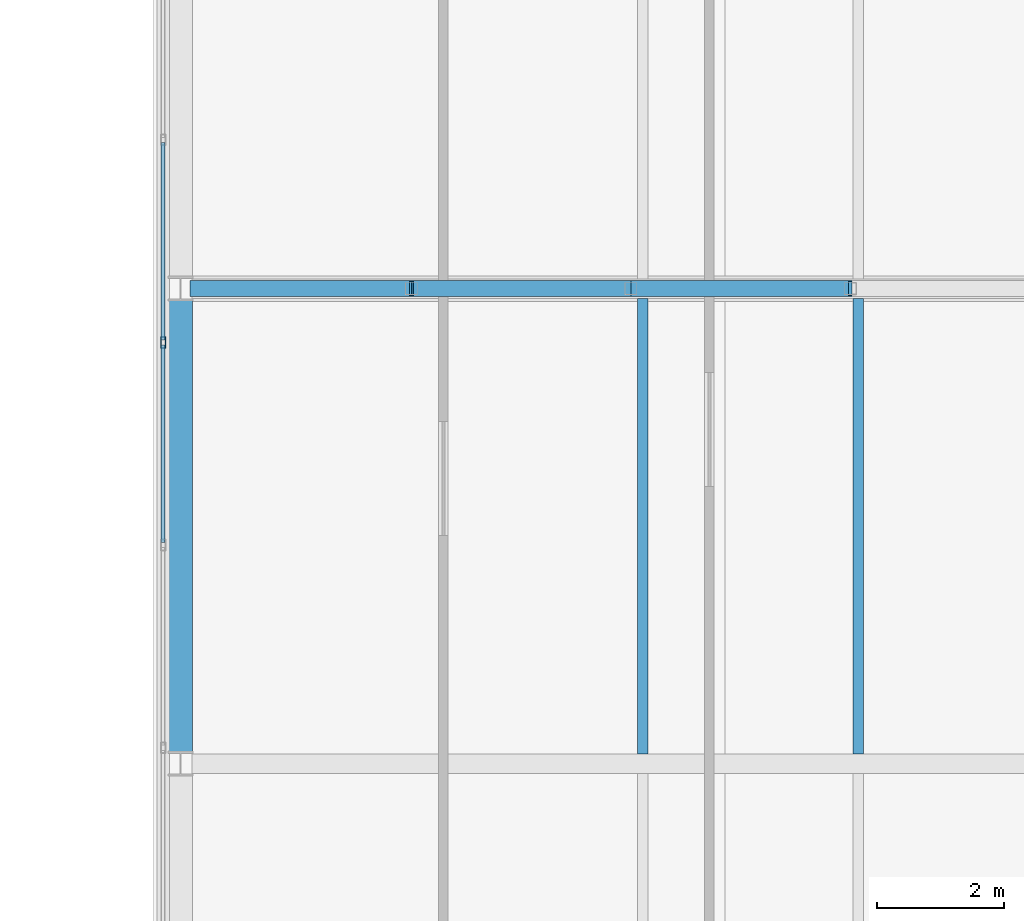
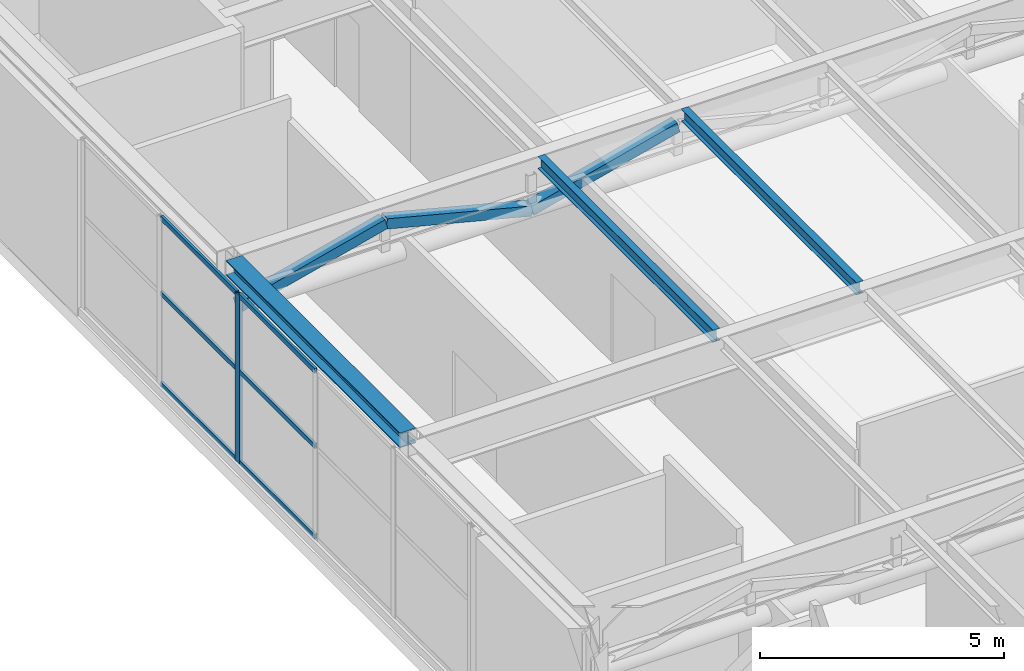
# One storey, part 9 of 27: 10 members, 3 beams, 1 element without a shape of its own.
"""IFC4 building model written with IfcOpenShell, lengths in metres."""

from ifc_helpers import new_model, si_unit, direction, frame, origin, origin_2d, place, context, subcontext, project, spatial, hollow_rectangle, i_section, extrude, material, layer, layer_set, material_profile, profile_set, type_object, element, aggregate, save


model = new_model("IFC4")

# Units and contexts
model_context = context("Model", 3, precision=1e-05, world=origin(), true_north=direction((0.0, 1.0)))
body_context = subcontext(model_context, "Body", "Model", "MODEL_VIEW")
ifc_project = project(units=[si_unit("LENGTHUNIT", "METRE"), si_unit("AREAUNIT", "SQUARE_METRE"), si_unit("VOLUMEUNIT", "CUBIC_METRE"), si_unit("PLANEANGLEUNIT", "RADIAN"), si_unit("MASSUNIT", "GRAM", prefix="KILO")], contexts=[model_context])

# Site, building, storey
site_placement = place(None, origin())
site = spatial("IfcSite", under=ifc_project, at=site_placement, CompositionType="ELEMENT")
building_placement = place(site_placement, origin())
building = spatial("IfcBuilding", under=site, at=building_placement, Name="Mersakhor Tower and Convention Hall", CompositionType="ELEMENT")
storey_placement = place(building_placement, frame((0.0, 0.0, 14.39990234375)))
storey = spatial("IfcBuildingStorey", under=building, at=storey_placement, Name="L03", CompositionType="ELEMENT", Elevation=14.39990234375)

# Beams
ifc_material_1 = material(Name="Steel S355", Category="steel")
ifc_material_profile_1 = material_profile(ifc_material_1, i_section(OverallWidth=0.165771484375, OverallDepth=0.306640625, WebThickness=0.006591796875, FlangeThickness=0.01171875, at=origin_2d()), Name="UB 305x165x46")
ifc_profile_set_1 = profile_set([ifc_material_profile_1], Name="Steel S355")
beam_type_1 = type_object("IfcBeamType", Name="BM-JST-305", PredefinedType="JOIST", material=ifc_profile_set_1)
for number, where, z_axis, x_axis, name in (
    (1, (62.800048828125, 25.90380859375, 4.646728515625), (0.0, 1.0, 0.0), (-1.0, 0.0, 0.0), "Convention L03 Composite Floor Joist CJ-4-62"),
    (2, (66.199951171875, 25.90380859375, 4.646728515625), (0.0, 1.0, 0.0), (-1.0, 0.0, 0.0), "Convention L03 Composite Floor Joist CJ-4-66"),
):
    element("IfcBeam", number, at=place(storey_placement, frame(where, z_axis=z_axis, x_axis=x_axis)), inside=storey, type_object=beam_type_1, Name=name, PredefinedType="JOIST", context=body_context, shape_type="SweptSolid", body=[
        extrude(i_section(OverallWidth=0.165771484375, OverallDepth=0.306640625, WebThickness=0.006591796875, FlangeThickness=0.01171875, at=origin_2d()), origin(), (0.0, 0.0, 1.0), 7.1923828125),
    ])
ifc_material_2 = material(Name="Steel S355", Category="steel")
ifc_material_profile_2 = material_profile(ifc_material_2, i_section(OverallWidth=0.374755859375, OverallDepth=0.37451171875, WebThickness=0.0166015625, FlangeThickness=0.027099609375, at=origin_2d()), Name="UC 356x368x202")
ifc_profile_set_2 = profile_set([ifc_material_profile_2], Name="Steel S355")
beam_type_2 = type_object("IfcBeamType", Name="BM-SPD-UC356", PredefinedType="SPANDREL", material=ifc_profile_set_2)
beam_placement = place(storey_placement, frame((55.5, 25.929931640625, 4.613037109375), z_axis=(0.0, 1.0, 0.0), x_axis=(-1.0, 0.0, 0.0)))
element("IfcBeam", 3, at=beam_placement, inside=storey, type_object=beam_type_2, Name="Convention L03 Edge Spandrel W4", PredefinedType="SPANDREL", context=body_context, shape_type="SweptSolid", body=[
    extrude(i_section(OverallWidth=0.374755859375, OverallDepth=0.37451171875, WebThickness=0.0166015625, FlangeThickness=0.027099609375, at=origin_2d()), origin(), (0.0, 0.0, 1.0), 7.14013671875),
])

# Curtain wall, members
ifc_material_3 = material(Name="Dark solar low-E aluminium curtain wall", Category="aluminium")
ifc_layer = layer(ifc_material_3, 0.219970703125)
ifc_layer_set = layer_set([ifc_layer], Name="Dark solar low-E aluminium curtain wall")
curtain_wall_type = type_object("IfcCurtainWallType", Name="CW-SYS-07", PredefinedType="USERDEFINED", material=ifc_layer_set)
curtain_wall_placement = place(storey_placement, origin())
curtain_wall = element("IfcCurtainWall", 4, at=curtain_wall_placement, inside=storey, type_object=curtain_wall_type, Name="Convention L03 West Curtain Wall", ObjectType="CURTAIN WALL", PredefinedType="USERDEFINED")
ifc_material_4 = material(Name="Anodised aluminium EN AW-6063 T6", Category="aluminium")
ifc_material_profile_3 = material_profile(ifc_material_4, hollow_rectangle(XDim=0.080078125, YDim=0.179931640625, WallThickness=0.008056640625, at=origin_2d()), Name="RHS 180x80x8")
ifc_profile_set_3 = profile_set([ifc_material_profile_3], Name="Anodised aluminium EN AW-6063 T6")
member_type_1 = type_object("IfcMemberType", Name="CWM-180x80", PredefinedType="MULLION", material=ifc_profile_set_3)
member_1_placement = place(storey_placement, frame((55.22509765625, 32.39990234375, 0.2001953125), z_axis=(0.0, 0.0, 1.0), x_axis=(-1.0, 0.0, 0.0)))
member_1 = element("IfcMember", 5, at=member_1_placement, type_object=member_type_1, Name="CW-07 mullion 4", PredefinedType="MULLION", context=body_context, shape_type="SweptSolid", body=[
    extrude(hollow_rectangle(XDim=0.080078125, YDim=0.179931640625, WallThickness=0.008056640625, at=origin_2d()), origin(), (0.0, 0.0, 1.0), 4.219970703125),
])
ifc_material_5 = material(Name="Anodised aluminium EN AW-6063 T6", Category="aluminium")
ifc_material_profile_4 = material_profile(ifc_material_5, hollow_rectangle(XDim=0.06005859375, YDim=0.1201171875, WallThickness=0.0048828125, at=origin_2d()), Name="RHS 120x60x5")
ifc_profile_set_4 = profile_set([ifc_material_profile_4], Name="Anodised aluminium EN AW-6063 T6")
member_type_2 = type_object("IfcMemberType", Name="CWT-120x60", PredefinedType="USERDEFINED", material=ifc_profile_set_4)
member_2_placement = place(storey_placement, frame((55.22509765625, 29.239990234375, 0.22998046875), z_axis=(0.0, 1.0, 0.0), x_axis=(-1.0, 0.0, 0.0)))
member_2 = element("IfcMember", 6, at=member_2_placement, type_object=member_type_2, Name="CW-07 transom 3.1", ObjectType="TRANSOM", PredefinedType="USERDEFINED", context=body_context, shape_type="SweptSolid", body=[
    extrude(hollow_rectangle(XDim=0.06005859375, YDim=0.1201171875, WallThickness=0.0048828125, at=origin_2d()), origin(), (0.0, 0.0, 1.0), 3.1201171875),
])
member_3_placement = place(storey_placement, frame((55.22509765625, 29.239990234375, 2.5), z_axis=(0.0, 1.0, 0.0), x_axis=(-1.0, 0.0, 0.0)))
member_3 = element("IfcMember", 7, at=member_3_placement, type_object=member_type_2, Name="CW-07 transom 3.2", ObjectType="TRANSOM", PredefinedType="USERDEFINED", context=body_context, shape_type="SweptSolid", body=[
    extrude(hollow_rectangle(XDim=0.06005859375, YDim=0.1201171875, WallThickness=0.0048828125, at=origin_2d()), origin(), (0.0, 0.0, 1.0), 3.1201171875),
])
member_4_placement = place(storey_placement, frame((55.22509765625, 29.239990234375, 4.39013671875), z_axis=(0.0, 1.0, 0.0), x_axis=(-1.0, 0.0, 0.0)))
member_4 = element("IfcMember", 8, at=member_4_placement, type_object=member_type_2, Name="CW-07 transom 3.3", ObjectType="TRANSOM", PredefinedType="USERDEFINED", context=body_context, shape_type="SweptSolid", body=[
    extrude(hollow_rectangle(XDim=0.06005859375, YDim=0.1201171875, WallThickness=0.0048828125, at=origin_2d()), origin(), (0.0, 0.0, 1.0), 3.1201171875),
])
member_5_placement = place(storey_placement, frame((55.22509765625, 32.43994140625, 0.22998046875), z_axis=(0.0, 1.0, 0.0), x_axis=(-1.0, 0.0, 0.0)))
member_5 = element("IfcMember", 9, at=member_5_placement, type_object=member_type_2, Name="CW-07 transom 4.1", ObjectType="TRANSOM", PredefinedType="USERDEFINED", context=body_context, shape_type="SweptSolid", body=[
    extrude(hollow_rectangle(XDim=0.06005859375, YDim=0.1201171875, WallThickness=0.0048828125, at=origin_2d()), origin(), (0.0, 0.0, 1.0), 3.1201171875),
])
member_6_placement = place(storey_placement, frame((55.22509765625, 32.43994140625, 2.5), z_axis=(0.0, 1.0, 0.0), x_axis=(-1.0, 0.0, 0.0)))
member_6 = element("IfcMember", 10, at=member_6_placement, type_object=member_type_2, Name="CW-07 transom 4.2", ObjectType="TRANSOM", PredefinedType="USERDEFINED", context=body_context, shape_type="SweptSolid", body=[
    extrude(hollow_rectangle(XDim=0.06005859375, YDim=0.1201171875, WallThickness=0.0048828125, at=origin_2d()), origin(), (0.0, 0.0, 1.0), 3.1201171875),
])
member_7_placement = place(storey_placement, frame((55.22509765625, 32.43994140625, 4.39013671875), z_axis=(0.0, 1.0, 0.0), x_axis=(-1.0, 0.0, 0.0)))
member_7 = element("IfcMember", 11, at=member_7_placement, type_object=member_type_2, Name="CW-07 transom 4.3", ObjectType="TRANSOM", PredefinedType="USERDEFINED", context=body_context, shape_type="SweptSolid", body=[
    extrude(hollow_rectangle(XDim=0.06005859375, YDim=0.1201171875, WallThickness=0.0048828125, at=origin_2d()), origin(), (0.0, 0.0, 1.0), 3.1201171875),
])
aggregate(curtain_wall, [member_1, member_2, member_3, member_4, member_5, member_6, member_7])

# Members
ifc_material_6 = material(Name="Steel S355", Category="steel")
ifc_material_profile_5 = material_profile(ifc_material_6, hollow_rectangle(XDim=0.25, YDim=0.25, WallThickness=0.01611328125, at=origin_2d()), Name="SHS 250x250x16")
ifc_profile_set_5 = profile_set([ifc_material_profile_5], Name="Steel S355")
member_type_3 = type_object("IfcMemberType", Name="MB-BRC-SHS250", PredefinedType="BRACE", material=ifc_profile_set_5)
for number, where, z_axis, x_axis, name in (
    (12, (55.679931640625, 33.25, 3.4501953125), (0.968782501118, 0.0, 0.247912213349), (0.0, 1.0, 0.0), "Convention L03 Truss Web Diagonal TD-5-1"),
    (13, (59.14501953125, 33.25, 4.3369140625), (0.968782501118, 0.0, -0.247912213349), (0.0, 1.0, 0.0), "Convention L03 Truss Web Diagonal TD-5-2"),
):
    element("IfcMember", number, at=place(storey_placement, frame(where, z_axis=z_axis, x_axis=x_axis)), inside=storey, type_object=member_type_3, Name=name, PredefinedType="BRACE", context=body_context, shape_type="SweptSolid", body=[
        extrude(hollow_rectangle(XDim=0.25, YDim=0.25, WallThickness=0.01611328125, at=origin_2d()), origin(), (0.0, 0.0, 1.0), 3.57666015625),
    ])
member_8_placement = place(storey_placement, frame((62.610107421875, 33.25, 3.4501953125), z_axis=(0.968778305548, 0.0, 0.247928608071), x_axis=(0.0, 1.0, 0.0)))
element("IfcMember", 14, at=member_8_placement, inside=storey, type_object=member_type_3, Name="Convention L03 Truss Web Diagonal TD-5-3", PredefinedType="BRACE", context=body_context, shape_type="SweptSolid", body=[
    extrude(hollow_rectangle(XDim=0.25, YDim=0.25, WallThickness=0.01611328125, at=origin_2d()), origin(), (0.0, 0.0, 1.0), 3.576416015625),
])

save(model, "model.ifc")
